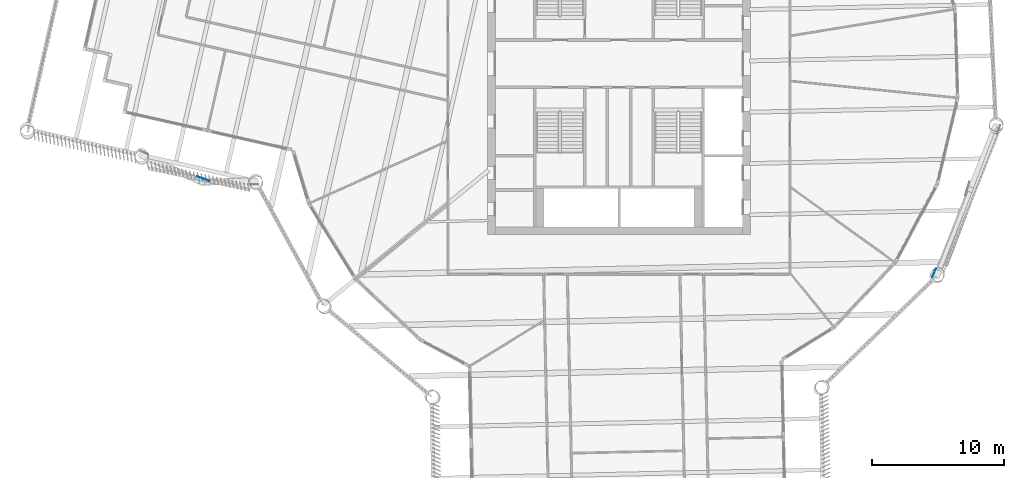
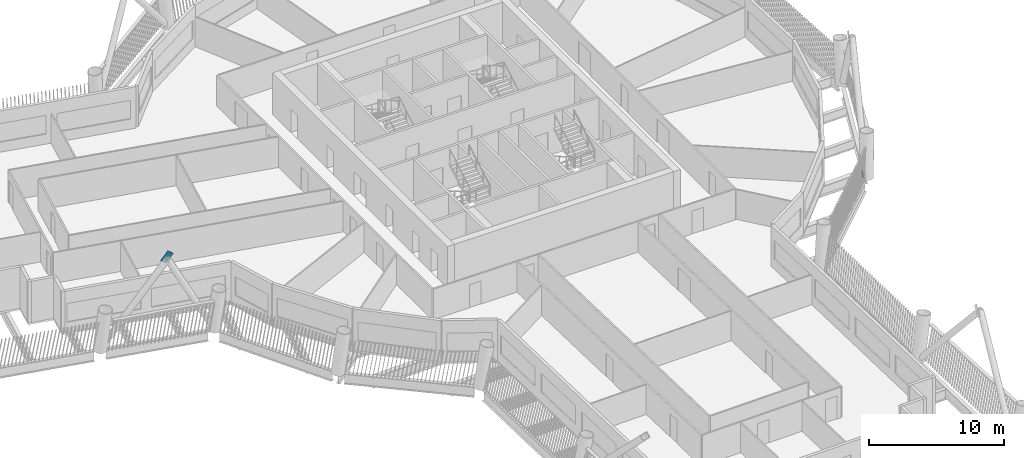
# One storey, part 9 of 23: 2 discrete accessories.
"""IFC4 building model written with IfcOpenShell, lengths in metres."""

from ifc_helpers import new_model, si_unit, direction, frame, origin, origin_2d, place, context, subcontext, project, spatial, rectangle, extrude, material, material_profile, profile_set, type_object, element, save


model = new_model("IFC4")

# Units and contexts
model_context = context("Model", 3, precision=1e-05, world=origin(), true_north=direction((0.0, 1.0)))
body_context = subcontext(model_context, "Body", "Model", "MODEL_VIEW")
ifc_project = project(units=[si_unit("LENGTHUNIT", "METRE"), si_unit("AREAUNIT", "SQUARE_METRE"), si_unit("VOLUMEUNIT", "CUBIC_METRE"), si_unit("PLANEANGLEUNIT", "RADIAN"), si_unit("MASSUNIT", "GRAM", prefix="KILO")], contexts=[model_context])

# Site, building, storey
site_placement = place(None, origin())
site = spatial("IfcSite", under=ifc_project, at=site_placement, CompositionType="ELEMENT")
building_placement = place(site_placement, origin())
building = spatial("IfcBuilding", under=site, at=building_placement, Name="Tarsis Ring Headquarters", CompositionType="ELEMENT")
storey_placement = place(building_placement, frame((0.0, 0.0, 231.60009765625)))
storey = spatial("IfcBuildingStorey", under=building, at=storey_placement, Name="L54", CompositionType="ELEMENT", Elevation=231.60009765625)

# Discrete accessories
ifc_material = material(Name="Structural steel S355", Category="steel")
ifc_material_profile = material_profile(ifc_material, rectangle(XDim=0.02490234375, YDim=0.5, at=origin_2d()), Name="PL 25x500")
ifc_profile_set = profile_set([ifc_material_profile], Name="Structural steel S355")
discrete_accessory_type = type_object("IfcDiscreteAccessoryType", Name="Gusset plate Exo brace 25", PredefinedType="BRACKET", material=ifc_profile_set)
discrete_accessory_1_placement = place(storey_placement, frame((23.89453125, -16.056640625, 0.0), z_axis=(0.246200370003, 0.625270780959, 0.740555081199), x_axis=(-0.930468476148, 0.366371962483, 0.0)))
element("IfcDiscreteAccessory", 1, at=discrete_accessory_1_placement, inside=storey, type_object=discrete_accessory_type, Name="Gusset plate GP5", PredefinedType="BRACKET", context=body_context, shape_type="SweptSolid", body=[
    extrude(rectangle(XDim=0.02490234375, YDim=0.5, at=origin_2d()), origin(), (0.0, 0.0, 1.0), 0.499755859375),
])
discrete_accessory_2_placement = place(storey_placement, frame((-31.865478515625, -8.6533203125, 7.380126953125), z_axis=(0.508617154743, -0.190212560511, 0.839718864695), x_axis=(0.350285577271, 0.936642949237, 0.0)))
element("IfcDiscreteAccessory", 2, at=discrete_accessory_2_placement, inside=storey, type_object=discrete_accessory_type, Name="Gusset plate GP5", PredefinedType="BRACKET", context=body_context, shape_type="SweptSolid", body=[
    extrude(rectangle(XDim=0.02490234375, YDim=0.5, at=origin_2d()), origin(), (0.0, 0.0, 1.0), 0.999755859375),
])

save(model, "model.ifc")
